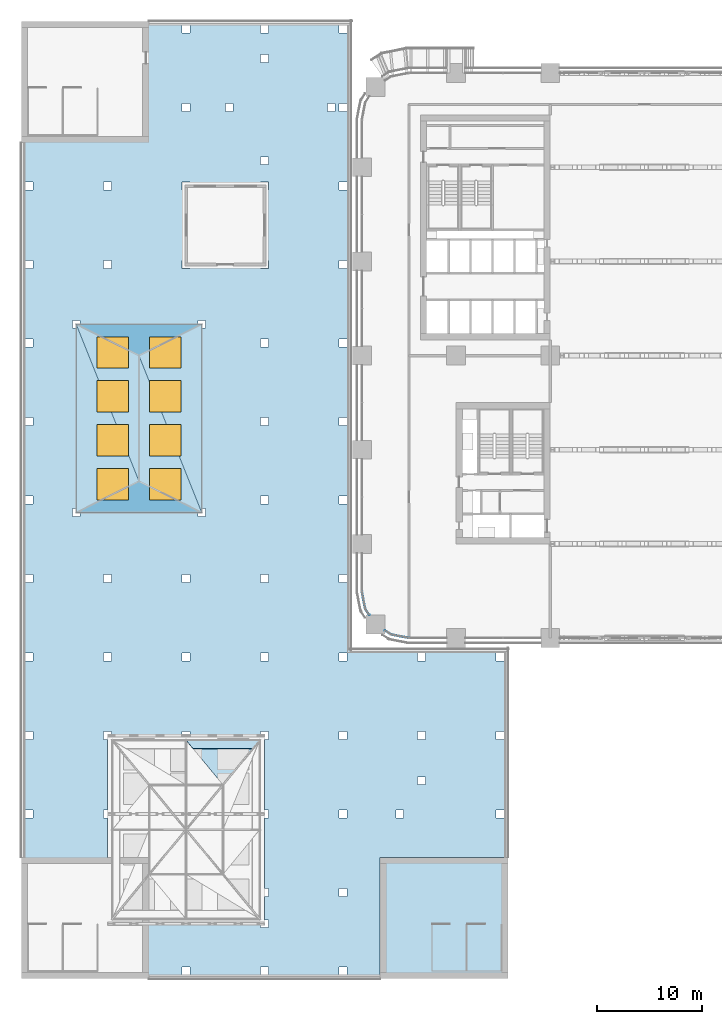
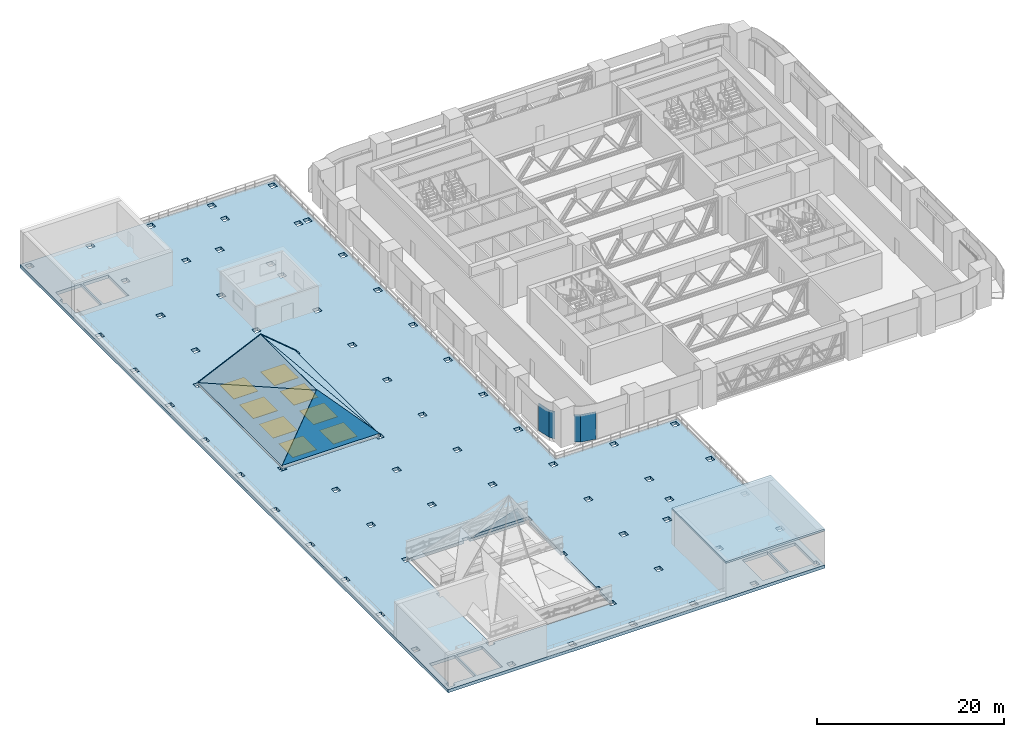
# One storey, part 12 of 35: 10 plates, 8 windows, 3 slabs, 8 openings, 2 elements without a shape of their own.
"""IFC4 building model written with IfcOpenShell, lengths in metres."""

import ifcopenshell
import ifcopenshell.guid

model = None  # the IFC model being written
_history = None  # IfcOwnerHistory: only IFC2X3 demands one
_inside = {}  # id of a spatial element -> (the spatial element, [elements in it])
_under = {}  # id of a project, library or spatial element -> (it, [spatial elements below it])
_declared = {}  # id of a project -> (the project, [libraries it declares])
_typed = {}  # id of a type object -> (the type object, [elements of that type])
_made_of = {}  # id of a material, layer set ... -> (it, [elements and type objects made of it])


def new_model(schema):
    """Start an empty IFC model of exactly this schema.

    Asked for "IFC4X3", IfcOpenShell would pick the latest addendum, in which some entities
    have other attributes; the version numbers below select the first issue.
    IFC2X3 requires an IfcOwnerHistory on every rooted entity: one is made here for all.
    """
    global model, _history
    if schema == "IFC4X3":
        model = ifcopenshell.file(schema_version=(4, 3, 0, 0))
    else:
        model = ifcopenshell.file(schema=schema)
    _inside.clear()
    _under.clear()
    _declared.clear()
    _typed.clear()
    _made_of.clear()
    _history = None
    if model.schema == "IFC2X3":
        org = make("IfcOrganization", Name="unknown")
        user = make(
            "IfcPersonAndOrganization",
            ThePerson=make("IfcPerson", FamilyName="unknown"),
            TheOrganization=org,
        )
        app = make(
            "IfcApplication",
            ApplicationDeveloper=org,
            Version="unknown",
            ApplicationFullName="unknown",
            ApplicationIdentifier="unknown",
        )
        _history = make(
            "IfcOwnerHistory",
            OwningUser=user,
            OwningApplication=app,
            ChangeAction="ADDED",
            CreationDate=0,
        )
    return model


def make(cls, **values):
    """One entity of the class cls with the attributes given. An attribute that is None is left unset."""
    return model.create_entity(
        cls, **{name: value for name, value in values.items() if value is not None}
    )


def rooted(cls, **values):
    """An entity with a GlobalId (a new one), such as an element, a storey or a relation."""
    return make(cls, GlobalId=ifcopenshell.guid.new(), OwnerHistory=_history, **values)


def si_unit(unit_type, name, prefix=None):
    """IfcSIUnit, for example si_unit("LENGTHUNIT", "METRE", prefix="MILLI")."""
    return make("IfcSIUnit", UnitType=unit_type, Prefix=prefix, Name=name)


def assignment(units):
    """IfcUnitAssignment: the units of a project."""
    return None if units is None else make("IfcUnitAssignment", Units=units)


def point(xyz):
    """IfcCartesianPoint."""
    return None if xyz is None else make("IfcCartesianPoint", Coordinates=xyz)


def direction(xyz):
    """IfcDirection."""
    return None if xyz is None else make("IfcDirection", DirectionRatios=xyz)


def frame(location, z_axis=None, x_axis=None):
    """IfcAxis2Placement3D, a coordinate frame: its origin and axes. An axis left out is left unset."""
    return make(
        "IfcAxis2Placement3D",
        Location=point(location),
        Axis=direction(z_axis),
        RefDirection=direction(x_axis),
    )


def frame_2d(location, x_axis=None):
    """IfcAxis2Placement2D, a coordinate frame in the plane: its origin and x axis."""
    return make(
        "IfcAxis2Placement2D", Location=point(location), RefDirection=direction(x_axis)
    )


def origin():
    """The frame at (0, 0, 0) with its axes left unset."""
    return frame((0.0, 0.0, 0.0))


def origin_2d():
    """The frame at (0, 0) in the plane with its x axis left unset."""
    return frame_2d((0.0, 0.0))


def place(relative_to, where):
    """IfcLocalPlacement: puts the frame where relative to a parent placement (None: the world)."""
    return make(
        "IfcLocalPlacement", PlacementRelTo=relative_to, RelativePlacement=where
    )


def context(
    kind, dimensions, precision=None, world=None, true_north=None, identifier=None
):
    """IfcGeometricRepresentationContext, for example the 3D "Model" context."""
    return make(
        "IfcGeometricRepresentationContext",
        ContextIdentifier=identifier,
        ContextType=kind,
        CoordinateSpaceDimension=dimensions,
        Precision=precision,
        WorldCoordinateSystem=world,
        TrueNorth=true_north,
    )


def subcontext(parent, identifier, kind, view, scale=None):
    """IfcGeometricRepresentationSubContext, for example "Body" below "Model"."""
    return make(
        "IfcGeometricRepresentationSubContext",
        ContextIdentifier=identifier,
        ContextType=kind,
        ParentContext=parent,
        TargetScale=scale,
        TargetView=view,
    )


def project(units=None, contexts=None):
    """IfcProject with its units and contexts."""
    return rooted(
        "IfcProject",
        Name="project",
        RepresentationContexts=contexts,
        UnitsInContext=assignment(units),
    )


def spatial(cls, under=None, at=None, **own):
    """A site, building, storey or space (cls), placed at a placement, below another one or the project."""
    s = rooted(cls, ObjectPlacement=at, **own)
    if under is not None:
        _under.setdefault(under.id(), (under, []))[1].append(s)
    return s


def polyline(points):
    """IfcPolyline through the points."""
    return make("IfcPolyline", Points=[point(p) for p in points])


def profile(cls, at=None, kind="AREA", **sizes):
    """A parametric profile (cls). Its sizes go by their IFC names, for example OverallWidth=200.0."""
    return make(cls, ProfileType=kind, Position=at, **sizes)


def rectangle(**sizes):
    """IfcRectangleProfileDef."""
    return profile("IfcRectangleProfileDef", **sizes)


def outline(outer, holes=None, kind="AREA"):
    """IfcArbitraryClosedProfileDef: a profile drawn as a closed curve; with holes, ...WithVoids."""
    if holes is None:
        return make("IfcArbitraryClosedProfileDef", ProfileType=kind, OuterCurve=outer)
    return make(
        "IfcArbitraryProfileDefWithVoids",
        ProfileType=kind,
        OuterCurve=outer,
        InnerCurves=holes,
    )


def extrude(swept, where, along, depth):
    """IfcExtrudedAreaSolid: the profile swept, set in the frame where, extruded along a direction by depth."""
    return make(
        "IfcExtrudedAreaSolid",
        SweptArea=swept,
        Position=where,
        ExtrudedDirection=direction(along),
        Depth=depth,
    )


def shape(context_of_items, identifier, shape_type, items):
    """IfcShapeRepresentation: the items that make up one representation, for example the "Body"."""
    return make(
        "IfcShapeRepresentation",
        ContextOfItems=context_of_items,
        RepresentationIdentifier=identifier,
        RepresentationType=shape_type,
        Items=items,
    )


def material(Name=None, Category=None):
    """IfcMaterial."""
    return make("IfcMaterial", Name=Name, Category=Category)


def layer(
    of_material, thickness, ventilated=None, Name=None, Category=None, Priority=None
):
    """IfcMaterialLayer: one layer of a wall or slab, of a material (None: an air gap)."""
    return make(
        "IfcMaterialLayer",
        Material=of_material,
        LayerThickness=thickness,
        IsVentilated=ventilated,
        Name=Name,
        Category=Category,
        Priority=Priority,
    )


def layer_set(layers, Name=None):
    """IfcMaterialLayerSet."""
    return make("IfcMaterialLayerSet", MaterialLayers=layers, LayerSetName=Name)


def made_of(thing, what):
    """Note that an element or type object is made of a material, layer set ...; save() writes the relation."""
    if what is not None:
        _made_of.setdefault(what.id(), (what, []))[1].append(thing)
    return thing


def type_object(cls, material=None, **own):
    """A type object (cls), such as IfcWallType, which elements share."""
    return made_of(rooted(cls, **own), material)


def element(
    cls,
    number,
    at=None,
    inside=None,
    cuts=None,
    type_object=None,
    material=None,
    context=None,
    identifier="Body",
    shape_type=None,
    held_by="IfcProductDefinitionShape",
    body=None,
    shapes=None,
    **own,
):
    """One element of the class cls, such as IfcWall. Its Tag is "e" and its number.

    at: its placement. inside: the storey or other place that contains it. cuts: it is an
    opening in that element (IfcRelVoidsElement). A single representation is given by context,
    identifier, shape_type and body (its items); several are given by shapes. held_by: the class
    of the entity that holds the representations. save() writes the other relations.
    """
    e = rooted(cls, Tag="e%d" % number, ObjectPlacement=at, **own)
    if body is not None:
        shapes = [shape(context, identifier, shape_type, body)]
    if shapes is not None:
        e.Representation = make(held_by, Representations=shapes)
    if inside is not None:
        _inside.setdefault(inside.id(), (inside, []))[1].append(e)
    if cuts is not None:
        rooted(
            "IfcRelVoidsElement", RelatingBuildingElement=cuts, RelatedOpeningElement=e
        )
    if type_object is not None:
        _typed.setdefault(type_object.id(), (type_object, []))[1].append(e)
    return made_of(e, material)


def fill(opening, filler):
    """IfcRelFillsElement: the door or window that sits in an opening."""
    return rooted(
        "IfcRelFillsElement",
        RelatingOpeningElement=opening,
        RelatedBuildingElement=filler,
    )


def aggregate(whole, parts):
    """IfcRelAggregates: a whole, such as a stair, and the parts it consists of."""
    return rooted("IfcRelAggregates", RelatingObject=whole, RelatedObjects=parts)


def save(model, path):
    """Write the relations noted so far, then the file.

    IfcRelAggregates (storeys below a building ...), IfcRelContainedInSpatialStructure (elements
    in a storey), IfcRelDefinesByType, IfcRelAssociatesMaterial and IfcRelDeclares: one each for
    every whole, place, type object, material and project.
    """
    for whole, parts in _under.values():
        aggregate(whole, parts)
    for where, things in _inside.values():
        rooted(
            "IfcRelContainedInSpatialStructure",
            RelatedElements=things,
            RelatingStructure=where,
        )
    for kind, things in _typed.values():
        rooted("IfcRelDefinesByType", RelatedObjects=things, RelatingType=kind)
    for what, things in _made_of.values():
        rooted("IfcRelAssociatesMaterial", RelatedObjects=things, RelatingMaterial=what)
    for by, libraries in _declared.values():
        rooted("IfcRelDeclares", RelatingContext=by, RelatedDefinitions=libraries)
    model.write(path)


model = new_model("IFC4")

# Units and contexts
model_context = context("Model", 3, precision=1e-05, world=origin(), true_north=direction((0.0, 1.0)))
body_context = subcontext(model_context, "Body", "Model", "MODEL_VIEW")
ifc_project = project(units=[si_unit("LENGTHUNIT", "METRE"), si_unit("AREAUNIT", "SQUARE_METRE"), si_unit("VOLUMEUNIT", "CUBIC_METRE"), si_unit("PLANEANGLEUNIT", "RADIAN"), si_unit("MASSUNIT", "GRAM", prefix="KILO")], contexts=[model_context])

# Site, building, storey
site_placement = place(None, origin())
site = spatial("IfcSite", under=ifc_project, at=site_placement, CompositionType="ELEMENT")
building_placement = place(site_placement, origin())
building = spatial("IfcBuilding", under=site, at=building_placement, Name="Tessera Arch", CompositionType="ELEMENT")
storey_placement = place(building_placement, frame((0.0, 0.0, 26.0)))
storey = spatial("IfcBuildingStorey", under=building, at=storey_placement, Name="L04", CompositionType="ELEMENT", Elevation=26.0)

# Curtain wall, plate
ifc_material_1 = material(Name="CW7 curtain wall")
curtain_wall_type = type_object("IfcCurtainWallType", Name="CW7 curtain wall", PredefinedType="NOTDEFINED", material=ifc_material_1)
curtain_wall_1_placement = place(storey_placement, origin())
curtain_wall_1 = element("IfcCurtainWall", 1, at=curtain_wall_1_placement, inside=storey, type_object=curtain_wall_type, Name="CW7 curtain wall W0.0/5 L04", PredefinedType="NOTDEFINED")
ifc_material_2 = material(Name="Pale anodised aluminium panel", Category="aluminium")
ifc_layer_1 = layer(ifc_material_2, 0.06005859375)
ifc_layer_set_1 = layer_set([ifc_layer_1], Name="CW7 plant wall panel")
plate_type_1 = type_object("IfcPlateType", Name="CW7 plant wall panel", PredefinedType="CURTAIN_PANEL", material=ifc_layer_set_1)
plate_1_placement = place(storey_placement, origin())
plate_1 = element("IfcPlate", 2, at=plate_1_placement, type_object=plate_type_1, Name="CW7 curved plant wall panel W0.0/5 2.1", PredefinedType="CURTAIN_PANEL", context=body_context, shape_type="SweptSolid", body=[
    extrude(outline(polyline([(0.370849609375, 2.78955078125), (0.03515625, 4.476318359375), (-0.023681640625, 4.46484375), (0.314208984375, 2.76611328125), (0.691650390625, 2.201416015625), (0.74169921875, 2.234619140625), (0.370849609375, 2.78955078125)])), origin(), (0.0, 0.0, 1.0), 3.580078125),
])
aggregate(curtain_wall_1, [plate_1])

curtain_wall_2_placement = place(storey_placement, origin())
curtain_wall_2 = element("IfcCurtainWall", 3, at=curtain_wall_2_placement, inside=storey, type_object=curtain_wall_type, Name="CW7 curtain wall S0.0/4 L04", PredefinedType="NOTDEFINED")
plate_2_placement = place(storey_placement, origin())
plate_2 = element("IfcPlate", 4, at=plate_2_placement, type_object=plate_type_1, Name="CW7 curved plant wall panel S0.0/4 2.1", PredefinedType="CURTAIN_PANEL", context=body_context, shape_type="SweptSolid", body=[
    extrude(outline(polyline([(2.78955078125, 0.370849609375), (2.234619140625, 0.74169921875), (2.201416015625, 0.691650390625), (2.76611328125, 0.314208984375), (4.46484375, -0.023681640625), (4.476318359375, 0.03515625), (2.78955078125, 0.370849609375)])), origin(), (0.0, 0.0, 1.0), 3.580078125),
])
aggregate(curtain_wall_2, [plate_2])

# Slabs
ifc_material_3 = material(Name="Concrete C40/50", Category="concrete")
ifc_layer_2 = layer(ifc_material_3, 0.25)
ifc_layer_set_2 = layer_set([ifc_layer_2], Name="Museum core roof slab 250 Concrete C40/50")
slab_type_1 = type_object("IfcSlabType", Name="Museum core roof slab 250 Concrete C40/50", PredefinedType="ROOF", material=ifc_layer_set_2)
slab_1_placement = place(storey_placement, frame((0.0, 0.0, 4.449951171875)))
element("IfcSlab", 5, at=slab_1_placement, inside=storey, type_object=slab_type_1, Name="Museum core roof slab M3", PredefinedType="ROOF", context=body_context, shape_type="SweptSolid", body=[
    extrude(outline(polyline([(1.75, -32.550048828125), (13.949951171875, -32.550048828125), (13.949951171875, -20.949951171875), (1.75, -20.949951171875), (1.75, -32.550048828125)])), origin(), (0.0, 0.0, 1.0), 0.25),
])
ifc_material_4 = material(Name="Concrete C40/50", Category="concrete")
ifc_layer_3 = layer(ifc_material_4, 0.409912109375)
ifc_layer_set_3 = layer_set([ifc_layer_3], Name="Museum roof slab 410 Concrete C40/50")
slab_type_2 = type_object("IfcSlabType", Name="Museum roof slab 410 Concrete C40/50", PredefinedType="ROOF", material=ifc_layer_set_3)
slab_2_placement = place(storey_placement, frame((0.0, 0.0, -0.409912109375)))
element("IfcSlab", 6, at=slab_2_placement, inside=storey, type_object=slab_type_2, Name="Museum roof slab 1", PredefinedType="ROOF", context=body_context, shape_type="SweptSolid", body=[
    extrude(outline(polyline([(13.949951171875, -1.050048828125), (13.949951171875, -32.550048828125), (-32.550048828125, -32.550048828125), (-32.550048828125, 58.949951171875), (-1.050048828125, 58.949951171875), (-1.050048828125, -1.050048828125), (13.949951171875, -1.050048828125)]), holes=[polyline([(-24.675048828125, -16.425048828125), (-24.675048828125, -17.175048828125), (-24.300048828125, -17.175048828125), (-24.300048828125, -26.925048828125), (-24.675048828125, -26.925048828125), (-24.675048828125, -27.675048828125), (-23.925048828125, -27.675048828125), (-23.925048828125, -27.300048828125), (-9.675048828125, -27.300048828125), (-9.675048828125, -27.675048828125), (-8.925048828125, -27.675048828125), (-8.925048828125, -26.925048828125), (-9.300048828125, -26.925048828125), (-9.300048828125, -24.675048828125), (-8.925048828125, -24.675048828125), (-8.925048828125, -23.925048828125), (-9.300048828125, -23.925048828125), (-9.300048828125, -17.175048828125), (-8.925048828125, -17.175048828125), (-8.925048828125, -16.425048828125), (-9.300048828125, -16.425048828125), (-9.300048828125, -9.675048828125), (-8.925048828125, -9.675048828125), (-8.925048828125, -8.925048828125), (-9.675048828125, -8.925048828125), (-9.675048828125, -9.300048828125), (-16.425048828125, -9.300048828125), (-16.425048828125, -8.925048828125), (-17.175048828125, -8.925048828125), (-17.175048828125, -9.300048828125), (-23.925048828125, -9.300048828125), (-23.925048828125, -8.925048828125), (-24.675048828125, -8.925048828125), (-24.675048828125, -9.675048828125), (-24.300048828125, -9.675048828125), (-24.300048828125, -16.425048828125), (-24.675048828125, -16.425048828125)]), polyline([(-26.925048828125, 30.375), (-27.675048828125, 30.375), (-27.675048828125, 29.625), (-27.300048828125, 29.625), (-27.300048828125, 12.375), (-27.675048828125, 12.375), (-27.675048828125, 11.625), (-26.925048828125, 11.625), (-26.925048828125, 12.0), (-15.675048828125, 12.0), (-15.675048828125, 11.625), (-14.925048828125, 11.625), (-14.925048828125, 12.375), (-15.300048828125, 12.375), (-15.300048828125, 29.625), (-14.925048828125, 29.625), (-14.925048828125, 30.375), (-15.675048828125, 30.375), (-15.675048828125, 30.0), (-26.925048828125, 30.0), (-26.925048828125, 30.375)]), polyline([(-31.425048828125, -32.175048828125), (-31.425048828125, -31.75), (-28.699951171875, -31.75), (-28.699951171875, -27.360107421875), (-30.199951171875, -27.360107421875), (-30.199951171875, -27.35009765625), (-31.85009765625, -27.35009765625), (-31.85009765625, -31.425048828125), (-32.175048828125, -31.425048828125), (-32.175048828125, -32.175048828125), (-31.425048828125, -32.175048828125)]), polyline([(-16.425048828125, -32.175048828125), (-16.425048828125, -31.425048828125), (-17.175048828125, -31.425048828125), (-17.175048828125, -32.175048828125), (-16.425048828125, -32.175048828125)]), polyline([(-23.925048828125, -32.175048828125), (-23.925048828125, -31.425048828125), (-24.675048828125, -31.425048828125), (-24.675048828125, -32.175048828125), (-23.925048828125, -32.175048828125)]), polyline([(-31.425048828125, -24.675048828125), (-31.425048828125, -23.925048828125), (-32.175048828125, -23.925048828125), (-32.175048828125, -24.675048828125), (-31.425048828125, -24.675048828125)]), polyline([(-31.425048828125, -17.175048828125), (-31.425048828125, -16.425048828125), (-32.175048828125, -16.425048828125), (-32.175048828125, -17.175048828125), (-31.425048828125, -17.175048828125)]), polyline([(-32.175048828125, -9.675048828125), (-31.425048828125, -9.675048828125), (-31.425048828125, -8.925048828125), (-32.175048828125, -8.925048828125), (-32.175048828125, -9.675048828125)]), polyline([(-23.925048828125, -2.175048828125), (-23.925048828125, -1.425048828125), (-24.675048828125, -1.425048828125), (-24.675048828125, -2.175048828125), (-23.925048828125, -2.175048828125)]), polyline([(-31.425048828125, -2.175048828125), (-31.425048828125, -1.425048828125), (-32.175048828125, -1.425048828125), (-32.175048828125, -2.175048828125), (-31.425048828125, -2.175048828125)]), polyline([(-31.425048828125, 5.324951171875), (-31.425048828125, 6.074951171875), (-32.175048828125, 6.074951171875), (-32.175048828125, 5.324951171875), (-31.425048828125, 5.324951171875)]), polyline([(-24.675048828125, 5.324951171875), (-23.925048828125, 5.324951171875), (-23.925048828125, 6.074951171875), (-24.675048828125, 6.074951171875), (-24.675048828125, 5.324951171875)]), polyline([(-31.425048828125, 12.824951171875), (-31.425048828125, 13.574951171875), (-32.175048828125, 13.574951171875), (-32.175048828125, 12.824951171875), (-31.425048828125, 12.824951171875)]), polyline([(-31.425048828125, 20.324951171875), (-31.425048828125, 21.074951171875), (-32.175048828125, 21.074951171875), (-32.175048828125, 20.324951171875), (-31.425048828125, 20.324951171875)]), polyline([(-31.425048828125, 27.824951171875), (-31.425048828125, 28.574951171875), (-32.175048828125, 28.574951171875), (-32.175048828125, 27.824951171875), (-31.425048828125, 27.824951171875)]), polyline([(-24.675048828125, 35.324951171875), (-23.925048828125, 35.324951171875), (-23.925048828125, 36.074951171875), (-24.675048828125, 36.074951171875), (-24.675048828125, 35.324951171875)]), polyline([(-31.425048828125, 35.324951171875), (-31.425048828125, 36.074951171875), (-32.175048828125, 36.074951171875), (-32.175048828125, 35.324951171875), (-31.425048828125, 35.324951171875)]), polyline([(-23.925048828125, 42.824951171875), (-23.925048828125, 43.574951171875), (-24.675048828125, 43.574951171875), (-24.675048828125, 42.824951171875), (-23.925048828125, 42.824951171875)]), polyline([(-31.425048828125, 42.824951171875), (-31.425048828125, 43.574951171875), (-32.175048828125, 43.574951171875), (-32.175048828125, 42.824951171875), (-31.425048828125, 42.824951171875)]), polyline([(-23.925048828125, 50.324951171875), (-23.925048828125, 51.074951171875), (-24.675048828125, 51.074951171875), (-24.675048828125, 50.324951171875), (-23.925048828125, 50.324951171875)]), polyline([(-31.85009765625, 50.324951171875), (-31.85009765625, 48.14990234375), (-28.699951171875, 48.14990234375), (-28.699951171875, 52.5400390625), (-30.199951171875, 52.5400390625), (-30.199951171875, 52.550048828125), (-31.85009765625, 52.550048828125), (-31.85009765625, 51.074951171875), (-32.175048828125, 51.074951171875), (-32.175048828125, 50.324951171875), (-31.85009765625, 50.324951171875)]), polyline([(-23.925048828125, 57.824951171875), (-23.925048828125, 58.574951171875), (-24.675048828125, 58.574951171875), (-24.675048828125, 57.824951171875), (-23.925048828125, 57.824951171875)]), polyline([(-31.425048828125, 57.824951171875), (-31.425048828125, 58.574951171875), (-32.175048828125, 58.574951171875), (-32.175048828125, 57.824951171875), (-31.425048828125, 57.824951171875)]), polyline([(-9.675048828125, -32.175048828125), (-8.925048828125, -32.175048828125), (-8.925048828125, -31.425048828125), (-9.675048828125, -31.425048828125), (-9.675048828125, -32.175048828125)]), polyline([(-9.675048828125, -2.175048828125), (-8.925048828125, -2.175048828125), (-8.925048828125, -1.425048828125), (-9.675048828125, -1.425048828125), (-9.675048828125, -2.175048828125)]), polyline([(-16.425048828125, -2.175048828125), (-16.425048828125, -1.425048828125), (-17.175048828125, -1.425048828125), (-17.175048828125, -2.175048828125), (-16.425048828125, -2.175048828125)]), polyline([(-16.425048828125, 5.324951171875), (-16.425048828125, 6.074951171875), (-17.175048828125, 6.074951171875), (-17.175048828125, 5.324951171875), (-16.425048828125, 5.324951171875)]), polyline([(-8.925048828125, 5.324951171875), (-8.925048828125, 6.074951171875), (-9.675048828125, 6.074951171875), (-9.675048828125, 5.324951171875), (-8.925048828125, 5.324951171875)]), polyline([(-9.675048828125, 12.824951171875), (-8.925048828125, 12.824951171875), (-8.925048828125, 13.574951171875), (-9.675048828125, 13.574951171875), (-9.675048828125, 12.824951171875)]), polyline([(-8.925048828125, 20.324951171875), (-8.925048828125, 21.074951171875), (-9.675048828125, 21.074951171875), (-9.675048828125, 20.324951171875), (-8.925048828125, 20.324951171875)]), polyline([(-8.925048828125, 27.824951171875), (-8.925048828125, 28.574951171875), (-9.675048828125, 28.574951171875), (-9.675048828125, 27.824951171875), (-8.925048828125, 27.824951171875)]), polyline([(-16.425048828125, 35.324951171875), (-16.425048828125, 36.074951171875), (-17.175048828125, 36.074951171875), (-17.175048828125, 35.324951171875), (-16.425048828125, 35.324951171875)]), polyline([(-8.925048828125, 35.324951171875), (-8.925048828125, 36.074951171875), (-9.675048828125, 36.074951171875), (-9.675048828125, 35.324951171875), (-8.925048828125, 35.324951171875)]), polyline([(-8.925048828125, 42.824951171875), (-8.925048828125, 43.574951171875), (-9.675048828125, 43.574951171875), (-9.675048828125, 42.824951171875), (-8.925048828125, 42.824951171875)]), polyline([(-16.425048828125, 42.824951171875), (-16.425048828125, 43.574951171875), (-17.175048828125, 43.574951171875), (-17.175048828125, 42.824951171875), (-16.425048828125, 42.824951171875)]), polyline([(-9.675048828125, 45.25), (-8.925048828125, 45.25), (-8.925048828125, 46.0), (-9.675048828125, 46.0), (-9.675048828125, 45.25)]), polyline([(-13.050048828125, 50.324951171875), (-12.300048828125, 50.324951171875), (-12.300048828125, 51.074951171875), (-13.050048828125, 51.074951171875), (-13.050048828125, 50.324951171875)]), polyline([(-16.425048828125, 50.324951171875), (-16.425048828125, 51.074951171875), (-17.175048828125, 51.074951171875), (-17.175048828125, 50.324951171875), (-16.425048828125, 50.324951171875)]), polyline([(-2.550048828125, 50.324951171875), (-2.550048828125, 51.074951171875), (-3.300048828125, 51.074951171875), (-3.300048828125, 50.324951171875), (-2.550048828125, 50.324951171875)]), polyline([(-8.925048828125, 55.0), (-8.925048828125, 55.75), (-9.675048828125, 55.75), (-9.675048828125, 55.0), (-8.925048828125, 55.0)]), polyline([(-9.675048828125, 57.824951171875), (-8.925048828125, 57.824951171875), (-8.925048828125, 58.574951171875), (-9.675048828125, 58.574951171875), (-9.675048828125, 57.824951171875)]), polyline([(-17.175048828125, 57.824951171875), (-16.425048828125, 57.824951171875), (-16.425048828125, 58.574951171875), (-17.175048828125, 58.574951171875), (-17.175048828125, 57.824951171875)]), polyline([(-1.425048828125, -32.175048828125), (-1.425048828125, -31.425048828125), (-2.175048828125, -31.425048828125), (-2.175048828125, -32.175048828125), (-1.425048828125, -32.175048828125)]), polyline([(13.574951171875, -32.175048828125), (13.574951171875, -31.425048828125), (13.25, -31.425048828125), (13.25, -27.360107421875), (11.75, -27.360107421875), (11.75, -27.35009765625), (10.10009765625, -27.35009765625), (10.10009765625, -31.75), (12.824951171875, -31.75), (12.824951171875, -32.175048828125), (13.574951171875, -32.175048828125)]), polyline([(6.074951171875, -32.175048828125), (6.074951171875, -31.425048828125), (5.324951171875, -31.425048828125), (5.324951171875, -32.175048828125), (6.074951171875, -32.175048828125)]), polyline([(12.824951171875, -24.675048828125), (13.574951171875, -24.675048828125), (13.574951171875, -23.925048828125), (12.824951171875, -23.925048828125), (12.824951171875, -24.675048828125)]), polyline([(-2.175048828125, -24.675048828125), (-1.425048828125, -24.675048828125), (-1.425048828125, -23.925048828125), (-2.175048828125, -23.925048828125), (-2.175048828125, -24.675048828125)]), polyline([(6.074951171875, -24.574951171875), (6.074951171875, -23.824951171875), (5.324951171875, -23.824951171875), (5.324951171875, -24.574951171875), (6.074951171875, -24.574951171875)]), polyline([(-1.425048828125, -17.175048828125), (-1.425048828125, -16.425048828125), (-2.175048828125, -16.425048828125), (-2.175048828125, -17.175048828125), (-1.425048828125, -17.175048828125)]), polyline([(13.574951171875, -17.175048828125), (13.574951171875, -16.425048828125), (12.824951171875, -16.425048828125), (12.824951171875, -17.175048828125), (13.574951171875, -17.175048828125)]), polyline([(4.0, -17.175048828125), (4.0, -16.425048828125), (3.25, -16.425048828125), (3.25, -17.175048828125), (4.0, -17.175048828125)]), polyline([(6.074951171875, -14.0), (6.074951171875, -13.25), (5.324951171875, -13.25), (5.324951171875, -14.0), (6.074951171875, -14.0)]), polyline([(-1.425048828125, -9.675048828125), (-1.425048828125, -8.925048828125), (-2.175048828125, -8.925048828125), (-2.175048828125, -9.675048828125), (-1.425048828125, -9.675048828125)]), polyline([(6.074951171875, -9.675048828125), (6.074951171875, -8.925048828125), (5.324951171875, -8.925048828125), (5.324951171875, -9.675048828125), (6.074951171875, -9.675048828125)]), polyline([(12.824951171875, -9.675048828125), (13.574951171875, -9.675048828125), (13.574951171875, -8.925048828125), (12.824951171875, -8.925048828125), (12.824951171875, -9.675048828125)]), polyline([(-2.175048828125, -2.175048828125), (-1.425048828125, -2.175048828125), (-1.425048828125, -1.425048828125), (-2.175048828125, -1.425048828125), (-2.175048828125, -2.175048828125)]), polyline([(6.074951171875, -2.175048828125), (6.074951171875, -1.425048828125), (5.324951171875, -1.425048828125), (5.324951171875, -2.175048828125), (6.074951171875, -2.175048828125)]), polyline([(13.574951171875, -2.175048828125), (13.574951171875, -1.425048828125), (12.824951171875, -1.425048828125), (12.824951171875, -2.175048828125), (13.574951171875, -2.175048828125)]), polyline([(-1.425048828125, 5.324951171875), (-1.425048828125, 6.074951171875), (-2.175048828125, 6.074951171875), (-2.175048828125, 5.324951171875), (-1.425048828125, 5.324951171875)]), polyline([(-2.175048828125, 12.824951171875), (-1.425048828125, 12.824951171875), (-1.425048828125, 13.574951171875), (-2.175048828125, 13.574951171875), (-2.175048828125, 12.824951171875)]), polyline([(-2.175048828125, 20.324951171875), (-1.425048828125, 20.324951171875), (-1.425048828125, 21.074951171875), (-2.175048828125, 21.074951171875), (-2.175048828125, 20.324951171875)]), polyline([(-1.425048828125, 27.824951171875), (-1.425048828125, 28.574951171875), (-2.175048828125, 28.574951171875), (-2.175048828125, 27.824951171875), (-1.425048828125, 27.824951171875)]), polyline([(-1.425048828125, 35.324951171875), (-1.425048828125, 36.074951171875), (-2.175048828125, 36.074951171875), (-2.175048828125, 35.324951171875), (-1.425048828125, 35.324951171875)]), polyline([(-1.425048828125, 42.824951171875), (-1.425048828125, 43.574951171875), (-2.175048828125, 43.574951171875), (-2.175048828125, 42.824951171875), (-1.425048828125, 42.824951171875)]), polyline([(-2.175048828125, 50.324951171875), (-1.425048828125, 50.324951171875), (-1.425048828125, 51.074951171875), (-2.175048828125, 51.074951171875), (-2.175048828125, 50.324951171875)]), polyline([(-2.175048828125, 57.824951171875), (-1.425048828125, 57.824951171875), (-1.425048828125, 58.574951171875), (-2.175048828125, 58.574951171875), (-2.175048828125, 57.824951171875)]), polyline([(-28.5, -27.35009765625), (-28.5, -31.75), (-25.35009765625, -31.75), (-25.35009765625, -27.360107421875), (-26.85009765625, -27.360107421875), (-26.85009765625, -27.35009765625), (-28.5, -27.35009765625)]), polyline([(6.75, -27.35009765625), (6.75, -31.75), (9.89990234375, -31.75), (9.89990234375, -27.360107421875), (8.39990234375, -27.360107421875), (8.39990234375, -27.35009765625), (6.75, -27.35009765625)]), polyline([(-28.5, 52.550048828125), (-28.5, 48.14990234375), (-25.35009765625, 48.14990234375), (-25.35009765625, 52.5400390625), (-26.85009765625, 52.5400390625), (-26.85009765625, 52.550048828125), (-28.5, 52.550048828125)])]), origin(), (0.0, 0.0, 1.0), 0.409912109375),
])

# Slab, openings, windows
ifc_material_5 = material(Name="Concrete C40/50", Category="concrete")
ifc_layer_4 = layer(ifc_material_5, 0.35009765625)
ifc_layer_set_4 = layer_set([ifc_layer_4], Name="Museum rooflight deck")
slab_type_3 = type_object("IfcSlabType", Name="Museum rooflight deck", PredefinedType="ROOF", material=ifc_layer_set_4)
slab_3_placement = place(storey_placement, frame((0.0, 0.0, -0.35009765625)))
slab_3 = element("IfcSlab", 7, at=slab_3_placement, inside=storey, type_object=slab_type_3, Name="Courtyard rooflight deck", PredefinedType="ROOF", context=body_context, shape_type="SweptSolid", body=[
    extrude(outline(polyline([(-27.300048828125, 12.0), (-15.300048828125, 12.0), (-15.300048828125, 30.0), (-27.300048828125, 30.0), (-27.300048828125, 12.0)])), origin(), (0.0, 0.0, 1.0), 0.35009765625),
])
opening_1_placement = place(slab_3_placement, frame((-23.800048828125, 14.699951171875, 0.0)))
opening_1 = element("IfcOpeningElement", 8, at=opening_1_placement, cuts=slab_3, Name="Opening L04-RLC01", PredefinedType="OPENING", context=body_context, shape_type="SweptSolid", body=[
    extrude(rectangle(XDim=3.0, YDim=3.0, at=origin_2d()), frame((0.0, 0.0, -0.010009765625)), (0.0, 0.0, 1.0), 0.3701171875),
])
opening_2_placement = place(slab_3_placement, frame((-23.800048828125, 18.89990234375, 0.0)))
opening_2 = element("IfcOpeningElement", 9, at=opening_2_placement, cuts=slab_3, Name="Opening L04-RLC02", PredefinedType="OPENING", context=body_context, shape_type="SweptSolid", body=[
    extrude(rectangle(XDim=3.0, YDim=3.0, at=origin_2d()), frame((0.0, 0.0, -0.010009765625)), (0.0, 0.0, 1.0), 0.3701171875),
])
opening_3_placement = place(slab_3_placement, frame((-23.800048828125, 23.10009765625, 0.0)))
opening_3 = element("IfcOpeningElement", 10, at=opening_3_placement, cuts=slab_3, Name="Opening L04-RLC03", PredefinedType="OPENING", context=body_context, shape_type="SweptSolid", body=[
    extrude(rectangle(XDim=3.0, YDim=3.0, at=origin_2d()), frame((0.0, 0.0, -0.010009765625)), (0.0, 0.0, 1.0), 0.3701171875),
])
opening_4_placement = place(slab_3_placement, frame((-23.800048828125, 27.300048828125, 0.0)))
opening_4 = element("IfcOpeningElement", 11, at=opening_4_placement, cuts=slab_3, Name="Opening L04-RLC04", PredefinedType="OPENING", context=body_context, shape_type="SweptSolid", body=[
    extrude(rectangle(XDim=3.0, YDim=3.0, at=origin_2d()), frame((0.0, 0.0, -0.010009765625)), (0.0, 0.0, 1.0), 0.3701171875),
])
opening_5_placement = place(slab_3_placement, frame((-18.800048828125, 14.699951171875, 0.0)))
opening_5 = element("IfcOpeningElement", 12, at=opening_5_placement, cuts=slab_3, Name="Opening L04-RLC05", PredefinedType="OPENING", context=body_context, shape_type="SweptSolid", body=[
    extrude(rectangle(XDim=3.0, YDim=3.0, at=origin_2d()), frame((0.0, 0.0, -0.010009765625)), (0.0, 0.0, 1.0), 0.3701171875),
])
opening_6_placement = place(slab_3_placement, frame((-18.800048828125, 18.89990234375, 0.0)))
opening_6 = element("IfcOpeningElement", 13, at=opening_6_placement, cuts=slab_3, Name="Opening L04-RLC06", PredefinedType="OPENING", context=body_context, shape_type="SweptSolid", body=[
    extrude(rectangle(XDim=3.0, YDim=3.0, at=origin_2d()), frame((0.0, 0.0, -0.010009765625)), (0.0, 0.0, 1.0), 0.3701171875),
])
opening_7_placement = place(slab_3_placement, frame((-18.800048828125, 23.10009765625, 0.0)))
opening_7 = element("IfcOpeningElement", 14, at=opening_7_placement, cuts=slab_3, Name="Opening L04-RLC07", PredefinedType="OPENING", context=body_context, shape_type="SweptSolid", body=[
    extrude(rectangle(XDim=3.0, YDim=3.0, at=origin_2d()), frame((0.0, 0.0, -0.010009765625)), (0.0, 0.0, 1.0), 0.3701171875),
])
opening_8_placement = place(slab_3_placement, frame((-18.800048828125, 27.300048828125, 0.0)))
opening_8 = element("IfcOpeningElement", 15, at=opening_8_placement, cuts=slab_3, Name="Opening L04-RLC08", PredefinedType="OPENING", context=body_context, shape_type="SweptSolid", body=[
    extrude(rectangle(XDim=3.0, YDim=3.0, at=origin_2d()), frame((0.0, 0.0, -0.010009765625)), (0.0, 0.0, 1.0), 0.3701171875),
])
ifc_material_6 = material(Name="Clear low-e laminated glass in aluminium frame", Category="aluminium")
window_type = type_object("IfcWindowType", Name="Museum rooflight", PartitioningType="SINGLE_PANEL", PredefinedType="SKYLIGHT", material=ifc_material_6)
window_1_placement = place(opening_1_placement, frame((0.0, 0.0, 0.300048828125)))
window_1 = element("IfcWindow", 16, at=window_1_placement, inside=storey, type_object=window_type, Name="Rooflight courtyard 1", OverallHeight=3.0, OverallWidth=3.0, PartitioningType="SINGLE_PANEL", PredefinedType="SKYLIGHT", context=body_context, shape_type="SweptSolid", body=[
    extrude(rectangle(XDim=3.0, YDim=3.0, at=origin_2d()), origin(), (0.0, 0.0, 1.0), 0.050048828125),
])
fill(opening_1, window_1)
window_2_placement = place(opening_2_placement, frame((0.0, 0.0, 0.300048828125)))
window_2 = element("IfcWindow", 17, at=window_2_placement, inside=storey, type_object=window_type, Name="Rooflight courtyard 2", OverallHeight=3.0, OverallWidth=3.0, PartitioningType="SINGLE_PANEL", PredefinedType="SKYLIGHT", context=body_context, shape_type="SweptSolid", body=[
    extrude(rectangle(XDim=3.0, YDim=3.0, at=origin_2d()), origin(), (0.0, 0.0, 1.0), 0.050048828125),
])
fill(opening_2, window_2)
window_3_placement = place(opening_3_placement, frame((0.0, 0.0, 0.300048828125)))
window_3 = element("IfcWindow", 18, at=window_3_placement, inside=storey, type_object=window_type, Name="Rooflight courtyard 3", OverallHeight=3.0, OverallWidth=3.0, PartitioningType="SINGLE_PANEL", PredefinedType="SKYLIGHT", context=body_context, shape_type="SweptSolid", body=[
    extrude(rectangle(XDim=3.0, YDim=3.0, at=origin_2d()), origin(), (0.0, 0.0, 1.0), 0.050048828125),
])
fill(opening_3, window_3)
window_4_placement = place(opening_4_placement, frame((0.0, 0.0, 0.300048828125)))
window_4 = element("IfcWindow", 19, at=window_4_placement, inside=storey, type_object=window_type, Name="Rooflight courtyard 4", OverallHeight=3.0, OverallWidth=3.0, PartitioningType="SINGLE_PANEL", PredefinedType="SKYLIGHT", context=body_context, shape_type="SweptSolid", body=[
    extrude(rectangle(XDim=3.0, YDim=3.0, at=origin_2d()), origin(), (0.0, 0.0, 1.0), 0.050048828125),
])
fill(opening_4, window_4)
window_5_placement = place(opening_5_placement, frame((0.0, 0.0, 0.300048828125)))
window_5 = element("IfcWindow", 20, at=window_5_placement, inside=storey, type_object=window_type, Name="Rooflight courtyard 5", OverallHeight=3.0, OverallWidth=3.0, PartitioningType="SINGLE_PANEL", PredefinedType="SKYLIGHT", context=body_context, shape_type="SweptSolid", body=[
    extrude(rectangle(XDim=3.0, YDim=3.0, at=origin_2d()), origin(), (0.0, 0.0, 1.0), 0.050048828125),
])
fill(opening_5, window_5)
window_6_placement = place(opening_6_placement, frame((0.0, 0.0, 0.300048828125)))
window_6 = element("IfcWindow", 21, at=window_6_placement, inside=storey, type_object=window_type, Name="Rooflight courtyard 6", OverallHeight=3.0, OverallWidth=3.0, PartitioningType="SINGLE_PANEL", PredefinedType="SKYLIGHT", context=body_context, shape_type="SweptSolid", body=[
    extrude(rectangle(XDim=3.0, YDim=3.0, at=origin_2d()), origin(), (0.0, 0.0, 1.0), 0.050048828125),
])
fill(opening_6, window_6)
window_7_placement = place(opening_7_placement, frame((0.0, 0.0, 0.300048828125)))
window_7 = element("IfcWindow", 22, at=window_7_placement, inside=storey, type_object=window_type, Name="Rooflight courtyard 7", OverallHeight=3.0, OverallWidth=3.0, PartitioningType="SINGLE_PANEL", PredefinedType="SKYLIGHT", context=body_context, shape_type="SweptSolid", body=[
    extrude(rectangle(XDim=3.0, YDim=3.0, at=origin_2d()), origin(), (0.0, 0.0, 1.0), 0.050048828125),
])
fill(opening_7, window_7)
window_8_placement = place(opening_8_placement, frame((0.0, 0.0, 0.300048828125)))
window_8 = element("IfcWindow", 23, at=window_8_placement, inside=storey, type_object=window_type, Name="Rooflight courtyard 8", OverallHeight=3.0, OverallWidth=3.0, PartitioningType="SINGLE_PANEL", PredefinedType="SKYLIGHT", context=body_context, shape_type="SweptSolid", body=[
    extrude(rectangle(XDim=3.0, YDim=3.0, at=origin_2d()), origin(), (0.0, 0.0, 1.0), 0.050048828125),
])
fill(opening_8, window_8)

# Plates
ifc_material_7 = material(Name="Clear low-e laminated glass", Category="glass")
ifc_layer_5 = layer(ifc_material_7, 0.031982421875)
ifc_layer_set_5 = layer_set([ifc_layer_5], Name="Roof glass facet")
plate_type_2 = type_object("IfcPlateType", Name="Roof glass facet", PredefinedType="SHEET", material=ifc_layer_set_5)
plate_3_placement = place(storey_placement, frame((-10.415283203125, -10.556884765625, 1.358642578125), z_axis=(0.0, 0.784060000594, 0.620685037252), x_axis=(-1.0, 0.0, 0.0)))
element("IfcPlate", 24, at=plate_3_placement, inside=storey, type_object=plate_type_2, Name="Atrium roof facet 5A", PredefinedType="SHEET", context=body_context, shape_type="SweptSolid", body=[
    extrude(outline(polyline([(0.0, 0.0), (5.719482421875, 0.0), (2.859619140625, 5.587403223833894), (0.0, 0.0)])), origin(), (0.0, 0.0, -1.0), 0.031982421875),
])
for number, where, z_axis, x_axis, name in (
    (25, (-27.300048828125, 12.0, 0.4130859375), (0.0, -0.894427191, 0.4472135955), (1.0, 0.0, 0.0), "Courtyard roof facet 1"),
    (26, (-15.300048828125, 30.0, 0.4130859375), (0.0, 0.894427191, 0.4472135955), (-1.0, 0.0, 0.0), "Courtyard roof facet 2"),
):
    element("IfcPlate", number, at=place(storey_placement, frame(where, z_axis=z_axis, x_axis=x_axis)), inside=storey, type_object=plate_type_2, Name=name, PredefinedType="SHEET", context=body_context, shape_type="SweptSolid", body=[
        extrude(outline(polyline([(0.0, 0.0), (12.0, 0.0), (6.0, 6.708203932499369), (0.0, 0.0)])), origin(), (0.0, 0.0, -1.0), 0.031982421875),
    ])
plate_4_placement = place(storey_placement, frame((-15.300048828125, 12.0, 0.306396484375), z_axis=(0.707106781187, 0.0, 0.707106781187), x_axis=(0.0, 1.0, 0.0)))
element("IfcPlate", 27, at=plate_4_placement, inside=storey, type_object=plate_type_2, Name="Courtyard roof facet 3", PredefinedType="SHEET", context=body_context, shape_type="SweptSolid", body=[
    extrude(outline(polyline([(0.0, 0.0), (18.0, 0.0), (15.0, 8.48528137423857), (0.0, 0.0)])), origin(), (0.0, 0.0, -1.0), 0.031982421875),
])
plate_5_placement = place(storey_placement, frame((-15.300048828125, 12.0, 0.306396484375), z_axis=(0.707106781187, 0.0, 0.707106781187), x_axis=(-0.348155311911, 0.870388279778, 0.348155311911)))
element("IfcPlate", 28, at=plate_5_placement, inside=storey, type_object=plate_type_2, Name="Courtyard roof facet 4", PredefinedType="SHEET", context=body_context, shape_type="SweptSolid", body=[
    extrude(outline(polyline([(0.0, 0.0), (17.23368793961409, 0.0), (6.789028582272216, 5.908391567007972), (0.0, 0.0)])), origin(), (0.0, 0.0, -1.0), 0.031982421875),
])
plate_6_placement = place(storey_placement, frame((-27.300048828125, 30.0, 0.306396484375), z_axis=(-0.707106781187, 0.0, 0.707106781187), x_axis=(0.0, -1.0, 0.0)))
element("IfcPlate", 29, at=plate_6_placement, inside=storey, type_object=plate_type_2, Name="Courtyard roof facet 5", PredefinedType="SHEET", context=body_context, shape_type="SweptSolid", body=[
    extrude(outline(polyline([(0.0, 0.0), (18.0, 0.0), (15.0, 8.48528137423857), (0.0, 0.0)])), origin(), (0.0, 0.0, -1.0), 0.031982421875),
])
plate_7_placement = place(storey_placement, frame((-27.300048828125, 30.0, 0.306396484375), z_axis=(-0.707106781187, 0.0, 0.707106781187), x_axis=(0.348155311911, -0.870388279778, 0.348155311911)))
element("IfcPlate", 30, at=plate_7_placement, inside=storey, type_object=plate_type_2, Name="Courtyard roof facet 6", PredefinedType="SHEET", context=body_context, shape_type="SweptSolid", body=[
    extrude(outline(polyline([(0.0, 0.0), (17.23368793961409, 0.0), (6.789028582272216, 5.908391567007972), (0.0, 0.0)])), origin(), (0.0, 0.0, -1.0), 0.031982421875),
])
ifc_material_8 = material(Name="Aluminium alloy 6063-T6", Category="aluminium")
ifc_layer_6 = layer(ifc_material_8, 0.031982421875)
ifc_layer_set_6 = layer_set([ifc_layer_6], Name="Roof skirt panel")
plate_type_3 = type_object("IfcPlateType", Name="Roof skirt panel", PredefinedType="SHEET", material=ifc_layer_set_6)
plate_8_placement = place(storey_placement, frame((-9.75, -9.75, 0.33935546875), z_axis=(0.0, 0.784064864645, 0.62067889285), x_axis=(-1.0, 0.0, 0.0)))
element("IfcPlate", 31, at=plate_8_placement, inside=storey, type_object=plate_type_3, Name="Atrium roof skirt panel 5", PredefinedType="SHEET", context=body_context, shape_type="SweptSolid", body=[
    extrude(outline(polyline([(0.0, 0.0), (7.050048828125, 0.0), (6.384765625, 1.3000035524319749), (0.665283203125, 1.3000035524319749), (0.0, 0.0)])), origin(), (0.0, 0.0, -1.0), 0.031982421875),
])

save(model, "model.ifc")
